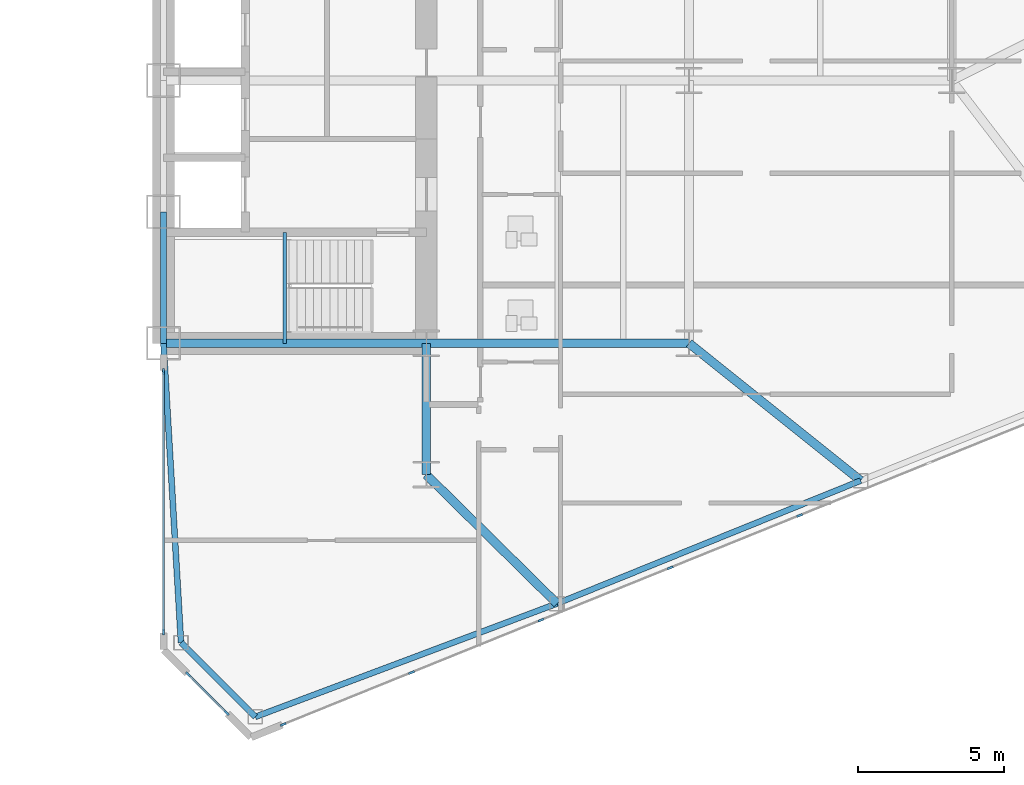
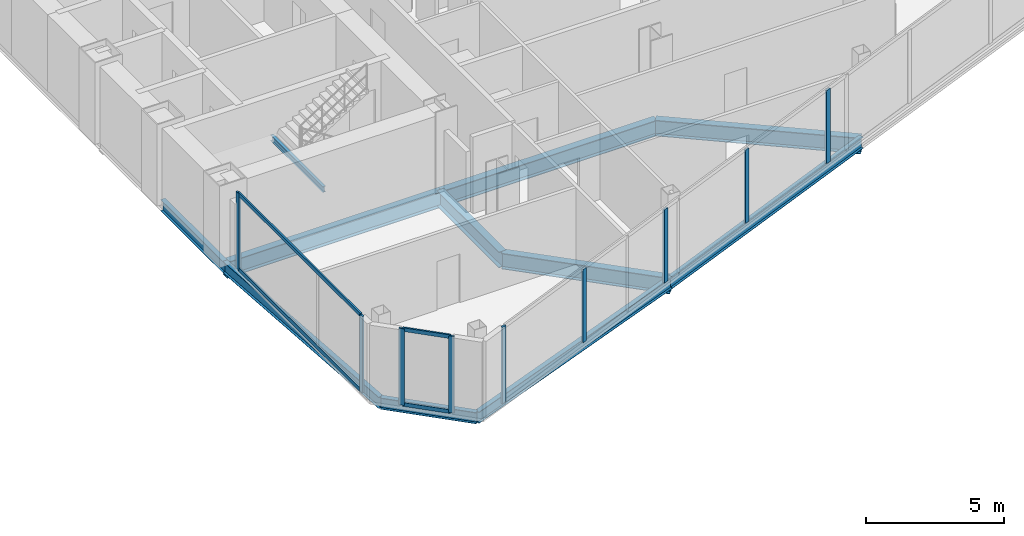
# One storey, part 9 of 25: 13 members, 11 beams, 3 elements without a shape of their own.
"""IFC4 building model written with IfcOpenShell, lengths in metres."""

from ifc_helpers import new_model, si_unit, direction, frame, origin, origin_2d, place, context, subcontext, project, spatial, rectangle, i_section, extrude, source, transform, mapped, material, layer, layer_set, material_profile, profile_set, type_object, type_shapes, element, aggregate, save


model = new_model("IFC4")

# Units and contexts
model_context = context("Model", 3, precision=1e-05, world=origin(), true_north=direction((0.0, 1.0)))
body_context = subcontext(model_context, "Body", "Model", "MODEL_VIEW")
ifc_project = project(units=[si_unit("LENGTHUNIT", "METRE"), si_unit("AREAUNIT", "SQUARE_METRE"), si_unit("VOLUMEUNIT", "CUBIC_METRE"), si_unit("PLANEANGLEUNIT", "RADIAN"), si_unit("MASSUNIT", "GRAM", prefix="KILO")], contexts=[model_context])

# Site, building, storey
site_placement = place(None, origin())
site = spatial("IfcSite", under=ifc_project, at=site_placement, CompositionType="ELEMENT")
building_placement = place(site_placement, origin())
building = spatial("IfcBuilding", under=site, at=building_placement, Name="Seokmaru Belvedere", CompositionType="ELEMENT")
storey_placement = place(building_placement, frame((0.0, 0.0, 40.5)))
storey = spatial("IfcBuildingStorey", under=building, at=storey_placement, Name="L10", CompositionType="ELEMENT", Elevation=40.5)

# Beams
ifc_material_1 = material(Name="Steel SM355 (355 MPa)", Category="steel")
ifc_material_profile_1 = material_profile(ifc_material_1, i_section(OverallWidth=0.199951171875, OverallDepth=0.5, WebThickness=0.010009765625, FlangeThickness=0.01611328125, at=origin_2d()), Name="H-500x200x10x16")
ifc_profile_set_1 = profile_set([ifc_material_profile_1], Name="Steel SM355 (355 MPa)")
beam_type_1 = type_object("IfcBeamType", Name="Perimeter Spandrel Beam H-500", PredefinedType="SPANDREL", material=ifc_profile_set_1)
shared_shape_1 = source(origin(), body_context, "Body", "SweptSolid", [
    extrude(i_section(OverallWidth=0.199951171875, OverallDepth=0.5, WebThickness=0.010009765625, FlangeThickness=0.01611328125, at=origin_2d()), origin(), (0.0, 0.0, 1.0), 4.5),
])
beam_1_placement = place(storey_placement, frame((27.5, -13.5, -0.469970703125), z_axis=(0.0, 1.0, 0.0), x_axis=(-1.0, 0.0, 0.0)))
element("IfcBeam", 1, at=beam_1_placement, inside=storey, type_object=beam_type_1, Name="L10 E Portal Spine Spandrel 1", PredefinedType="SPANDREL", context=body_context, shape_type="MappedRepresentation", body=[
    mapped(shared_shape_1, transform((0.0, 0.0, 0.0), scale=1.0)),
])
ifc_material_profile_2 = material_profile(ifc_material_1, i_section(OverallWidth=0.300048828125, OverallDepth=0.699951171875, WebThickness=0.012939453125, FlangeThickness=0.02392578125, at=origin_2d()), Name="H-700x300x13x24")
ifc_profile_set_2 = profile_set([ifc_material_profile_2], Name="Steel SM355 (355 MPa)")
beam_type_2 = type_object("IfcBeamType", Name="Primary Floor Girder H-700", PredefinedType="BEAM", material=ifc_profile_set_2)
shared_shape_2 = source(origin(), body_context, "Body", "SweptSolid", [
    extrude(i_section(OverallWidth=0.300048828125, OverallDepth=0.699951171875, WebThickness=0.012939453125, FlangeThickness=0.02392578125, at=origin_2d()), origin(), (0.0, 0.0, 1.0), 4.5),
])
beam_2_placement = place(storey_placement, frame((36.5, -18.0, -0.570068359375), z_axis=(0.0, 1.0, 0.0), x_axis=(-1.0, 0.0, 0.0)))
element("IfcBeam", 2, at=beam_2_placement, inside=storey, type_object=beam_type_2, Name="L10 E Core Shoulder Girder S", PredefinedType="BEAM", context=body_context, shape_type="MappedRepresentation", body=[
    mapped(shared_shape_2, transform((0.0, 0.0, 0.0), scale=1.0)),
])
shared_shape_3 = source(origin(), body_context, "Body", "SweptSolid", [
    extrude(i_section(OverallWidth=0.300048828125, OverallDepth=0.699951171875, WebThickness=0.012939453125, FlangeThickness=0.02392578125, at=origin_2d()), origin(), (0.0, 0.0, 1.0), 9.0),
])
for number, where, z_axis, x_axis, name in (
    (3, (27.5, -13.5, -0.570068359375), (1.0, 0.0, 0.0), (0.0, 1.0, 0.0), "L10 E Core Tie Girder 1"),
    (4, (36.5, -13.5, -0.570068359375), (1.0, 0.0, 0.0), (0.0, 1.0, 0.0), "L10 E Wing Primary Girder 1"),
):
    element("IfcBeam", number, at=place(storey_placement, frame(where, z_axis=z_axis, x_axis=x_axis)), inside=storey, type_object=beam_type_2, Name=name, PredefinedType="BEAM", context=body_context, shape_type="MappedRepresentation", body=[
        mapped(shared_shape_3, transform((0.0, 0.0, 0.0), scale=1.0)),
    ])
shared_shape_4 = source(origin(), body_context, "Body", "SweptSolid", [
    extrude(i_section(OverallWidth=0.199951171875, OverallDepth=0.5, WebThickness=0.010009765625, FlangeThickness=0.01611328125, at=origin_2d()), origin(), (0.0, 0.0, 1.0), 11.03857421875),
])
beam_3_placement = place(storey_placement, frame((30.643310546875, -26.294677734375, -0.469970703125), z_axis=(0.936169110734, 0.351549990907, 0.0), x_axis=(-0.351549990907, 0.936169110734, 0.0)))
element("IfcBeam", 5, at=beam_3_placement, inside=storey, type_object=beam_type_1, Name="L10 E Faceted Flank Spandrel S-1", PredefinedType="SPANDREL", context=body_context, shape_type="MappedRepresentation", body=[
    mapped(shared_shape_4, transform((0.0, 0.0, 0.0), scale=1.0)),
])
shared_shape_5 = source(origin(), body_context, "Body", "SweptSolid", [
    extrude(i_section(OverallWidth=0.199951171875, OverallDepth=0.5, WebThickness=0.010009765625, FlangeThickness=0.01611328125, at=origin_2d()), origin(), (0.0, 0.0, 1.0), 11.220703125),
])
beam_4_placement = place(storey_placement, frame((40.977294921875, -22.4140625, -0.469970703125), z_axis=(0.926944290816, 0.375198989503, 0.0), x_axis=(-0.375198989503, 0.926944290816, 0.0)))
element("IfcBeam", 6, at=beam_4_placement, inside=storey, type_object=beam_type_1, Name="L10 E Faceted Flank Spandrel S-2", PredefinedType="SPANDREL", context=body_context, shape_type="MappedRepresentation", body=[
    mapped(shared_shape_5, transform((0.0, 0.0, 0.0), scale=1.0)),
])
shared_shape_6 = source(origin(), body_context, "Body", "SweptSolid", [
    extrude(i_section(OverallWidth=0.199951171875, OverallDepth=0.5, WebThickness=0.010009765625, FlangeThickness=0.01611328125, at=origin_2d()), origin(), (0.0, 0.0, 1.0), 3.5966796875),
])
beam_5_placement = place(storey_placement, frame((30.643310546875, -26.294677734375, -0.469970703125), z_axis=(-0.707106781187, 0.707106781187, 0.0), x_axis=(-0.707106781187, -0.707106781187, 0.0)))
element("IfcBeam", 7, at=beam_5_placement, inside=storey, type_object=beam_type_1, Name="L10 E Shoulder Chamfer Spandrel S", PredefinedType="SPANDREL", context=body_context, shape_type="MappedRepresentation", body=[
    mapped(shared_shape_6, transform((0.0, 0.0, 0.0), scale=1.0)),
])
shared_shape_7 = source(origin(), body_context, "Body", "SweptSolid", [
    extrude(i_section(OverallWidth=0.199951171875, OverallDepth=0.5, WebThickness=0.010009765625, FlangeThickness=0.01611328125, at=origin_2d()), origin(), (0.0, 0.0, 1.0), 10.26904296875),
])
type_shapes(beam_type_1, [shared_shape_1, shared_shape_4, shared_shape_5, shared_shape_6, shared_shape_7])
beam_6_placement = place(storey_placement, frame((28.10009765625, -23.75146484375, -0.469970703125), z_axis=(-0.058437709399, 0.998291056817, 0.0), x_axis=(-0.998291056817, -0.058437709399, 0.0)))
element("IfcBeam", 8, at=beam_6_placement, inside=storey, type_object=beam_type_1, Name="L10 E Shoulder Spine Spandrel S", PredefinedType="SPANDREL", context=body_context, shape_type="MappedRepresentation", body=[
    mapped(shared_shape_7, transform((0.0, 0.0, 0.0), scale=1.0)),
])
shared_shape_8 = source(origin(), body_context, "Body", "SweptSolid", [
    extrude(i_section(OverallWidth=0.300048828125, OverallDepth=0.699951171875, WebThickness=0.012939453125, FlangeThickness=0.02392578125, at=origin_2d()), origin(), (0.0, 0.0, 1.0), 6.287353515625),
])
beam_7_placement = place(storey_placement, frame((40.977294921875, -22.4140625, -0.570068359375), z_axis=(-0.712117485263, 0.702060315915, 0.0), x_axis=(-0.702060315915, -0.712117485263, 0.0)))
element("IfcBeam", 9, at=beam_7_placement, inside=storey, type_object=beam_type_2, Name="L10 E Flank Radial Floor Girder S-1", PredefinedType="BEAM", context=body_context, shape_type="MappedRepresentation", body=[
    mapped(shared_shape_8, transform((0.0, 0.0, 0.0), scale=1.0)),
])
shared_shape_9 = source(origin(), body_context, "Body", "SweptSolid", [
    extrude(i_section(OverallWidth=0.300048828125, OverallDepth=0.699951171875, WebThickness=0.012939453125, FlangeThickness=0.02392578125, at=origin_2d()), origin(), (0.0, 0.0, 1.0), 7.52880859375),
])
type_shapes(beam_type_2, [shared_shape_2, shared_shape_3, shared_shape_8, shared_shape_9])
beam_8_placement = place(storey_placement, frame((51.378173828125, -18.2041015625, -0.570068359375), z_axis=(-0.780767560736, 0.624821587418, 0.0), x_axis=(-0.624821587418, -0.780767560736, 0.0)))
element("IfcBeam", 10, at=beam_8_placement, inside=storey, type_object=beam_type_2, Name="L10 E Flank Radial Floor Girder S-2", PredefinedType="BEAM", context=body_context, shape_type="MappedRepresentation", body=[
    mapped(shared_shape_9, transform((0.0, 0.0, 0.0), scale=1.0)),
])

# Curtain wall, members
ifc_material_2 = material(Name="Bronze Triple Insulating Glass", Category="glass")
ifc_layer = layer(ifc_material_2, 0.2099609375)
ifc_layer_set = layer_set([ifc_layer], Name="Bronze Triple Insulating Glass")
curtain_wall_type = type_object("IfcCurtainWallType", Name="Low-Rise Faceted Crystal Curtain Wall System CW-2", PredefinedType="NOTDEFINED", material=ifc_layer_set)
curtain_wall_1_placement = place(storey_placement, origin())
curtain_wall_1 = element("IfcCurtainWall", 11, at=curtain_wall_1_placement, inside=storey, type_object=curtain_wall_type, Name="L10 Curtain Wall ESP_1", PredefinedType="NOTDEFINED")
ifc_material_3 = material(Name="Anodised Bronze Aluminium", Category="aluminium")
ifc_material_profile_3 = material_profile(ifc_material_3, rectangle(XDim=0.070068359375, YDim=0.1650390625, at=origin_2d()), Name="CW-T-70x165")
ifc_profile_set_3 = profile_set([ifc_material_profile_3], Name="Anodised Bronze Aluminium")
member_type_1 = type_object("IfcMemberType", Name="Bronze Unitised Transom 70x165", PredefinedType="USERDEFINED", material=ifc_profile_set_3)
shared_shape_10 = source(origin(), body_context, "Body", "SweptSolid", [
    extrude(rectangle(XDim=0.070068359375, YDim=0.1650390625, at=origin_2d()), origin(), (0.0, 0.0, 1.0), 8.85009765625),
])
member_1_placement = place(storey_placement, frame((27.5, -14.5048828125, 0.034912109375), z_axis=(0.0, -1.0, 0.0), x_axis=(1.0, 0.0, 0.0)))
member_1 = element("IfcMember", 12, at=member_1_placement, type_object=member_type_1, Name="CW:L10:ESP_1 Continuous Transom 1", ObjectType="TRANSOM", PredefinedType="USERDEFINED", context=body_context, shape_type="MappedRepresentation", body=[
    mapped(shared_shape_10, transform((0.0, 0.0, 0.0), scale=1.0)),
])
member_2_placement = place(storey_placement, frame((27.5, -14.5048828125, 3.344970703125), z_axis=(0.0, -1.0, 0.0), x_axis=(1.0, 0.0, 0.0)))
member_2 = element("IfcMember", 13, at=member_2_placement, type_object=member_type_1, Name="CW:L10:ESP_1 Continuous Transom 2", ObjectType="TRANSOM", PredefinedType="USERDEFINED", context=body_context, shape_type="MappedRepresentation", body=[
    mapped(shared_shape_10, transform((0.0, 0.0, 0.0), scale=1.0)),
])

curtain_wall_2_placement = place(storey_placement, origin())
curtain_wall_2 = element("IfcCurtainWall", 14, at=curtain_wall_2_placement, inside=storey, type_object=curtain_wall_type, Name="L10 Curtain Wall EF6", PredefinedType="NOTDEFINED")
shared_shape_11 = source(origin(), body_context, "Body", "SweptSolid", [
    extrude(rectangle(XDim=0.070068359375, YDim=0.1650390625, at=origin_2d()), origin(), (0.0, 0.0, 1.0), 1.792724609375),
])
type_shapes(member_type_1, [shared_shape_10, shared_shape_11])
member_3_placement = place(storey_placement, frame((28.3662109375, -24.8662109375, 0.034912109375), z_axis=(0.707106781187, -0.707106781187, 0.0), x_axis=(0.707106781187, 0.707106781187, 0.0)))
member_3 = element("IfcMember", 15, at=member_3_placement, type_object=member_type_1, Name="CW:L10:EF6 Continuous Transom 1", ObjectType="TRANSOM", PredefinedType="USERDEFINED", context=body_context, shape_type="MappedRepresentation", body=[
    mapped(shared_shape_11, transform((0.0, 0.0, 0.0), scale=1.0)),
])
member_4_placement = place(storey_placement, frame((28.3662109375, -24.8662109375, 3.344970703125), z_axis=(0.707106781187, -0.707106781187, 0.0), x_axis=(0.707106781187, 0.707106781187, 0.0)))
member_4 = element("IfcMember", 16, at=member_4_placement, type_object=member_type_1, Name="CW:L10:EF6 Continuous Transom 2", ObjectType="TRANSOM", PredefinedType="USERDEFINED", context=body_context, shape_type="MappedRepresentation", body=[
    mapped(shared_shape_11, transform((0.0, 0.0, 0.0), scale=1.0)),
])

curtain_wall_3_placement = place(storey_placement, origin())
curtain_wall_3 = element("IfcCurtainWall", 17, at=curtain_wall_3_placement, inside=storey, type_object=curtain_wall_type, Name="L10 Curtain Wall EF1", PredefinedType="NOTDEFINED")
ifc_material_profile_4 = material_profile(ifc_material_3, rectangle(XDim=0.074951171875, YDim=0.2099609375, at=origin_2d()), Name="CW-M-75x210")
ifc_profile_set_4 = profile_set([ifc_material_profile_4], Name="Anodised Bronze Aluminium")
member_type_2 = type_object("IfcMemberType", Name="Bronze Unitised Mullion 75x210", PredefinedType="MULLION", material=ifc_profile_set_4)
shared_shape_12 = source(origin(), body_context, "Body", "SweptSolid", [
    extrude(rectangle(XDim=0.074951171875, YDim=0.2099609375, at=origin_2d()), origin(), (0.0, 0.0, 1.0), 3.239990234375),
])
member_5_placement = place(storey_placement, frame((35.995849609375, -24.775390625, 0.070068359375), z_axis=(0.0, 0.0, 1.0), x_axis=(-0.375192321888, 0.926946989637, 0.0)))
member_5 = element("IfcMember", 18, at=member_5_placement, type_object=member_type_2, Name="CW:L10:EF1 Mullion 2", PredefinedType="MULLION", context=body_context, shape_type="MappedRepresentation", body=[
    mapped(shared_shape_12, transform((0.0, 0.0, 0.0), scale=1.0)),
])
member_6_placement = place(storey_placement, frame((40.425537109375, -22.982421875, 0.070068359375), z_axis=(0.0, 0.0, 1.0), x_axis=(-0.375192321888, 0.926946989637, 0.0)))
member_6 = element("IfcMember", 19, at=member_6_placement, type_object=member_type_2, Name="CW:L10:EF1 Mullion 3", PredefinedType="MULLION", context=body_context, shape_type="MappedRepresentation", body=[
    mapped(shared_shape_12, transform((0.0, 0.0, 0.0), scale=1.0)),
])
member_7_placement = place(storey_placement, frame((44.855224609375, -21.189453125, 0.070068359375), z_axis=(0.0, 0.0, 1.0), x_axis=(-0.375192321888, 0.926946989637, 0.0)))
member_7 = element("IfcMember", 20, at=member_7_placement, type_object=member_type_2, Name="CW:L10:EF1 Mullion 4", PredefinedType="MULLION", context=body_context, shape_type="MappedRepresentation", body=[
    mapped(shared_shape_12, transform((0.0, 0.0, 0.0), scale=1.0)),
])
member_8_placement = place(storey_placement, frame((49.28515625, -19.396484375, 0.070068359375), z_axis=(0.0, 0.0, 1.0), x_axis=(-0.375192321888, 0.926946989637, 0.0)))
member_8 = element("IfcMember", 21, at=member_8_placement, type_object=member_type_2, Name="CW:L10:EF1 Mullion 5", PredefinedType="MULLION", context=body_context, shape_type="MappedRepresentation", body=[
    mapped(shared_shape_12, transform((0.0, 0.0, 0.0), scale=1.0)),
])
shared_shape_13 = source(origin(), body_context, "Body", "SweptSolid", [
    extrude(rectangle(XDim=0.074951171875, YDim=0.2099609375, at=origin_2d()), origin(), (0.0, 0.0, 1.0), 3.3798828125),
])
type_shapes(member_type_2, [shared_shape_12, shared_shape_13])
member_9_placement = place(storey_placement, frame((31.600830078125, -26.554443359375, 0.0), z_axis=(0.0, 0.0, 1.0), x_axis=(-0.375192321888, 0.926946989637, 0.0)))
member_9 = element("IfcMember", 22, at=member_9_placement, type_object=member_type_2, Name="CW:L10:EF1 Mullion 1", PredefinedType="MULLION", context=body_context, shape_type="MappedRepresentation", body=[
    mapped(shared_shape_13, transform((0.0, 0.0, 0.0), scale=1.0)),
])
aggregate(curtain_wall_3, [member_9, member_5, member_6, member_7, member_8])

# Member
member_10_placement = place(storey_placement, frame((27.5, -14.467529296875, 0.0), z_axis=(0.0, 0.0, 1.0), x_axis=(1.0, 0.0, 0.0)))
member_10 = element("IfcMember", 23, at=member_10_placement, type_object=member_type_2, Name="CW:L10:ESP_1 Mullion 1", PredefinedType="MULLION", context=body_context, shape_type="MappedRepresentation", body=[
    mapped(shared_shape_13, transform((0.0, 0.0, 0.0), scale=1.0)),
])

member_11_placement = place(storey_placement, frame((27.5, -23.392578125, 0.0), z_axis=(0.0, 0.0, 1.0), x_axis=(1.0, 0.0, 0.0)))
member_11 = element("IfcMember", 24, at=member_11_placement, type_object=member_type_2, Name="CW:L10:ESP_1 Mullion 2", PredefinedType="MULLION", context=body_context, shape_type="MappedRepresentation", body=[
    mapped(shared_shape_13, transform((0.0, 0.0, 0.0), scale=1.0)),
])

aggregate(curtain_wall_1, [member_10, member_11, member_1, member_2])

member_12_placement = place(storey_placement, frame((28.339599609375, -24.839599609375, 0.0), z_axis=(0.0, 0.0, 1.0), x_axis=(0.707106781187, 0.707106781187, 0.0)))
member_12 = element("IfcMember", 25, at=member_12_placement, type_object=member_type_2, Name="CW:L10:EF6 Mullion 1", PredefinedType="MULLION", context=body_context, shape_type="MappedRepresentation", body=[
    mapped(shared_shape_13, transform((0.0, 0.0, 0.0), scale=1.0)),
])

member_13_placement = place(storey_placement, frame((29.660400390625, -26.160400390625, 0.0), z_axis=(0.0, 0.0, 1.0), x_axis=(0.707106781187, 0.707106781187, 0.0)))
member_13 = element("IfcMember", 26, at=member_13_placement, type_object=member_type_2, Name="CW:L10:EF6 Mullion 2", PredefinedType="MULLION", context=body_context, shape_type="MappedRepresentation", body=[
    mapped(shared_shape_13, transform((0.0, 0.0, 0.0), scale=1.0)),
])

aggregate(curtain_wall_2, [member_12, member_13, member_3, member_4])

# Beam
ifc_material_profile_5 = material_profile(ifc_material_1, i_section(OverallWidth=0.125, OverallDepth=0.25, WebThickness=0.006103515625, FlangeThickness=0.009033203125, at=origin_2d()), Name="H-250x125x6x9")
ifc_profile_set_5 = profile_set([ifc_material_profile_5], Name="Steel SM355 (355 MPa)")
beam_type_3 = type_object("IfcBeamType", Name="Stair Mid-Landing Support Beam H-250", PredefinedType="JOIST", material=ifc_profile_set_5)
shared_shape_14 = source(origin(), body_context, "Body", "SweptSolid", [
    extrude(i_section(OverallWidth=0.125, OverallDepth=0.25, WebThickness=0.006103515625, FlangeThickness=0.009033203125, at=origin_2d()), origin(), (0.0, 0.0, 1.0), 3.800048828125),
])
type_shapes(beam_type_3, [shared_shape_14])
beam_9_placement = place(storey_placement, frame((31.64990234375, -13.5, 1.47509765625), z_axis=(0.0, 1.0, 0.0), x_axis=(-1.0, 0.0, 0.0)))
element("IfcBeam", 27, at=beam_9_placement, inside=storey, type_object=beam_type_3, Name="L10 Stair ST-E1 Mid-Landing Support Beam 1", PredefinedType="JOIST", context=body_context, shape_type="MappedRepresentation", body=[
    mapped(shared_shape_14, transform((0.0, 0.0, 0.0), scale=1.0)),
])

save(model, "model.ifc")
